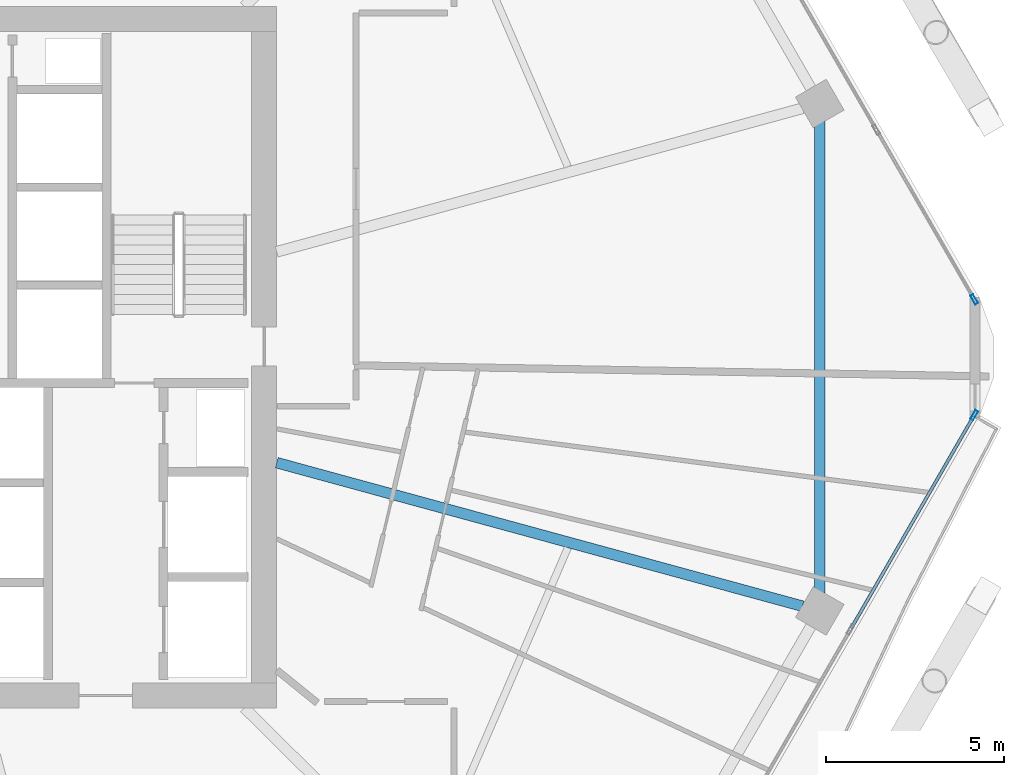
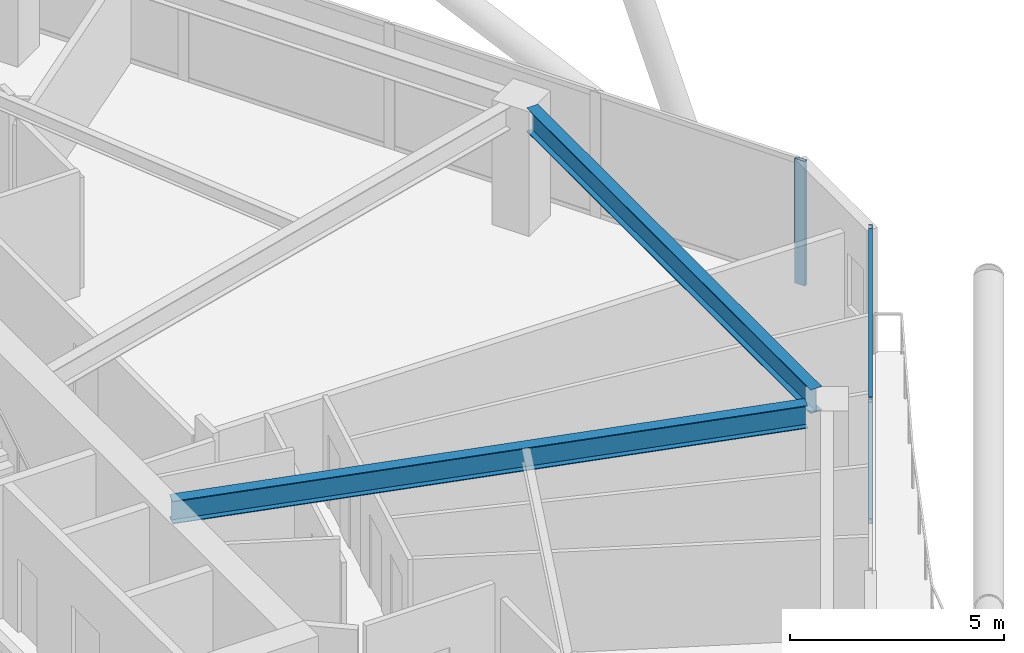
# One storey, part 10 of 30: 4 members, 2 beams, 2 elements without a shape of their own.
"""IFC4 building model written with IfcOpenShell, lengths in metres."""

from ifc_helpers import new_model, si_unit, direction, frame, origin, origin_2d, place, context, subcontext, project, spatial, hollow_rectangle, i_section, extrude, material, material_profile, profile_set, type_object, element, aggregate, save


model = new_model("IFC4")

# Units and contexts
model_context = context("Model", 3, precision=1e-05, world=origin(), true_north=direction((0.0, 1.0)))
body_context = subcontext(model_context, "Body", "Model", "MODEL_VIEW")
ifc_project = project(units=[si_unit("LENGTHUNIT", "METRE"), si_unit("AREAUNIT", "SQUARE_METRE"), si_unit("VOLUMEUNIT", "CUBIC_METRE"), si_unit("PLANEANGLEUNIT", "RADIAN"), si_unit("MASSUNIT", "GRAM", prefix="KILO")], contexts=[model_context])

# Site, building, storey
site_placement = place(None, origin())
site = spatial("IfcSite", under=ifc_project, at=site_placement, CompositionType="ELEMENT")
building_placement = place(site_placement, origin())
building = spatial("IfcBuilding", under=site, at=building_placement, Name="Zuhravey Tower", CompositionType="ELEMENT")
storey_placement = place(building_placement, frame((0.0, 0.0, 177.0)))
storey = spatial("IfcBuildingStorey", under=building, at=storey_placement, Name="L44", CompositionType="ELEMENT", Elevation=177.0)

# Curtain wall, member
ifc_material_1 = material(Name="Thermally broken anodised aluminium", Category="aluminium")
curtain_wall_type = type_object("IfcCurtainWallType", Name="Zone 1-2 Residential Curtain Wall CW3", PredefinedType="NOTDEFINED", material=ifc_material_1)
curtain_wall_1_placement = place(storey_placement, origin())
curtain_wall_1 = element("IfcCurtainWall", 1, at=curtain_wall_1_placement, inside=storey, type_object=curtain_wall_type, Name="L44 CW3 CW-L44-F6-1", PredefinedType="NOTDEFINED")
ifc_material_2 = material(Name="Anodised aluminium", Category="aluminium")
ifc_material_profile_1 = material_profile(ifc_material_2, hollow_rectangle(XDim=0.090087890625, YDim=0.284912109375, WallThickness=0.0048828125, at=origin_2d()), Name="ALU-RHS-90x285x5")
ifc_profile_set_1 = profile_set([ifc_material_profile_1], Name="Anodised aluminium")
member_type_1 = type_object("IfcMemberType", Name="Curtain-Wall Mullion 90x180", PredefinedType="MULLION", material=ifc_profile_set_1)
member_1_placement = place(storey_placement, frame((66.44921875, 30.37353515625, 0.0), z_axis=(0.0, 0.0, 1.0), x_axis=(0.86602341816, -0.500003439186, 0.0)))
member_1 = element("IfcMember", 2, at=member_1_placement, type_object=member_type_1, Name="CW3 mullion 1", PredefinedType="MULLION", context=body_context, shape_type="SweptSolid", body=[
    extrude(hollow_rectangle(XDim=0.090087890625, YDim=0.284912109375, WallThickness=0.0048828125, at=origin_2d()), origin(), (0.0, 0.0, 1.0), 3.550048828125),
])

curtain_wall_2_placement = place(storey_placement, origin())
curtain_wall_2 = element("IfcCurtainWall", 3, at=curtain_wall_2_placement, inside=storey, type_object=curtain_wall_type, Name="L44 CW3 CW-L44-F1-1", PredefinedType="NOTDEFINED")
member_2_placement = place(storey_placement, frame((66.44921875, 33.62646484375, 0.0), z_axis=(0.0, 0.0, 1.0), x_axis=(0.866025138215, 0.500000459979, 0.0)))
member_2 = element("IfcMember", 4, at=member_2_placement, type_object=member_type_1, Name="CW3 mullion 6", PredefinedType="MULLION", context=body_context, shape_type="SweptSolid", body=[
    extrude(hollow_rectangle(XDim=0.090087890625, YDim=0.284912109375, WallThickness=0.0048828125, at=origin_2d()), origin(), (0.0, 0.0, 1.0), 3.550048828125),
])
aggregate(curtain_wall_2, [member_2])

# Member
ifc_material_profile_2 = material_profile(ifc_material_2, hollow_rectangle(XDim=0.090087890625, YDim=0.14990234375, WallThickness=0.0048828125, at=origin_2d()), Name="ALU-RHS-90x150x5")
ifc_profile_set_2 = profile_set([ifc_material_profile_2], Name="Anodised aluminium")
member_type_2 = type_object("IfcMemberType", Name="Curtain-Wall Transom 90x150", PredefinedType="USERDEFINED", material=ifc_profile_set_2)
member_3_placement = place(storey_placement, frame((66.4267578125, 30.33447265625, 0.044921875), z_axis=(-0.500010877134, -0.866019123777, 0.0), x_axis=(0.866019123777, -0.500010877134, 0.0)))
member_3 = element("IfcMember", 5, at=member_3_placement, type_object=member_type_2, Name="CW3 transom 1.1", ObjectType="TRANSOM", PredefinedType="USERDEFINED", context=body_context, shape_type="SweptSolid", body=[
    extrude(hollow_rectangle(XDim=0.090087890625, YDim=0.14990234375, WallThickness=0.0048828125, at=origin_2d()), origin(), (0.0, 0.0, 1.0), 6.863037109375),
])

member_4_placement = place(storey_placement, frame((66.4267578125, 30.33447265625, 3.5048828125), z_axis=(-0.500010877134, -0.866019123777, 0.0), x_axis=(0.866019123777, -0.500010877134, 0.0)))
member_4 = element("IfcMember", 6, at=member_4_placement, type_object=member_type_2, Name="CW3 transom 1.2", ObjectType="TRANSOM", PredefinedType="USERDEFINED", context=body_context, shape_type="SweptSolid", body=[
    extrude(hollow_rectangle(XDim=0.090087890625, YDim=0.14990234375, WallThickness=0.0048828125, at=origin_2d()), origin(), (0.0, 0.0, 1.0), 6.863037109375),
])

aggregate(curtain_wall_1, [member_1, member_3, member_4])

# Beams
ifc_material_3 = material(Name="Steel SM355", Category="steel")
ifc_material_profile_3 = material_profile(ifc_material_3, i_section(OverallWidth=0.300048828125, OverallDepth=0.679931640625, WebThickness=0.012939453125, FlangeThickness=0.02197265625, at=origin_2d()), Name="H-680x300x13x22")
ifc_profile_set_3 = profile_set([ifc_material_profile_3], Name="Steel SM355")
beam_type_1 = type_object("IfcBeamType", Name="Perimeter Ring Beam H680x300", PredefinedType="BEAM", material=ifc_profile_set_3)
beam_1_placement = place(storey_placement, frame((62.107666015625, 25.37646484375, 3.2099609375), z_axis=(0.0, 1.0, 0.0), x_axis=(-1.0, 0.0, 0.0)))
element("IfcBeam", 7, at=beam_1_placement, inside=storey, type_object=beam_type_1, Name="L44 PB2 BM-L44-PB-12", PredefinedType="BEAM", context=body_context, shape_type="SweptSolid", body=[
    extrude(i_section(OverallWidth=0.300048828125, OverallDepth=0.679931640625, WebThickness=0.012939453125, FlangeThickness=0.02197265625, at=origin_2d()), origin(), (0.0, 0.0, 1.0), 13.2470703125),
])
ifc_material_profile_4 = material_profile(ifc_material_3, i_section(OverallWidth=0.300048828125, OverallDepth=0.64990234375, WebThickness=0.012939453125, FlangeThickness=0.02197265625, at=origin_2d()), Name="H-650x300x13x22")
ifc_profile_set_4 = profile_set([ifc_material_profile_4], Name="Steel SM355")
beam_type_2 = type_object("IfcBeamType", Name="Radial Primary Girder H650x300", PredefinedType="BEAM", material=ifc_profile_set_4)
beam_2_placement = place(storey_placement, frame((46.85302734375, 29.03759765625, 3.22509765625), z_axis=(0.964701601771, -0.263345437667, 0.0), x_axis=(0.263345437667, 0.964701601771, 0.0)))
element("IfcBeam", 8, at=beam_2_placement, inside=storey, type_object=beam_type_2, Name="L44 RG2 BM-L44-RAD-12", PredefinedType="BEAM", context=body_context, shape_type="SweptSolid", body=[
    extrude(i_section(OverallWidth=0.300048828125, OverallDepth=0.64990234375, WebThickness=0.012939453125, FlangeThickness=0.02197265625, at=origin_2d()), origin(), (0.0, 0.0, 1.0), 15.309814453125),
])

save(model, "model.ifc")
